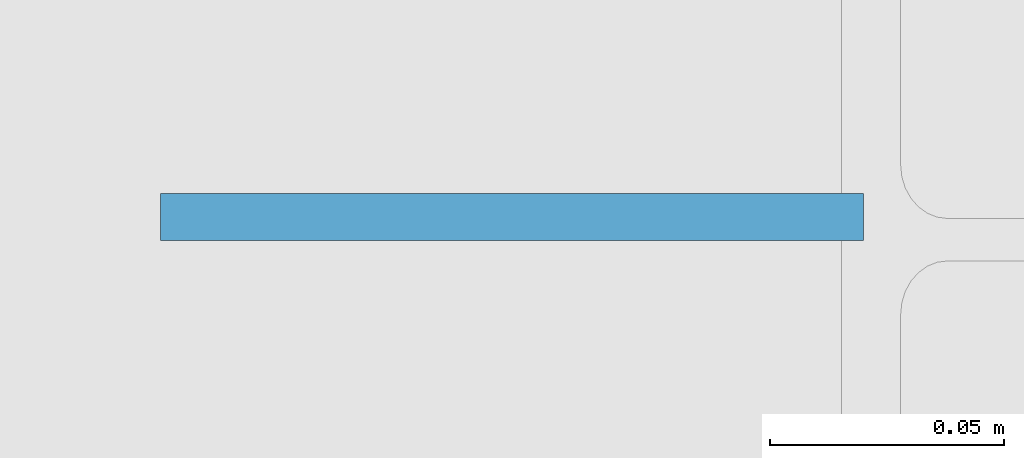
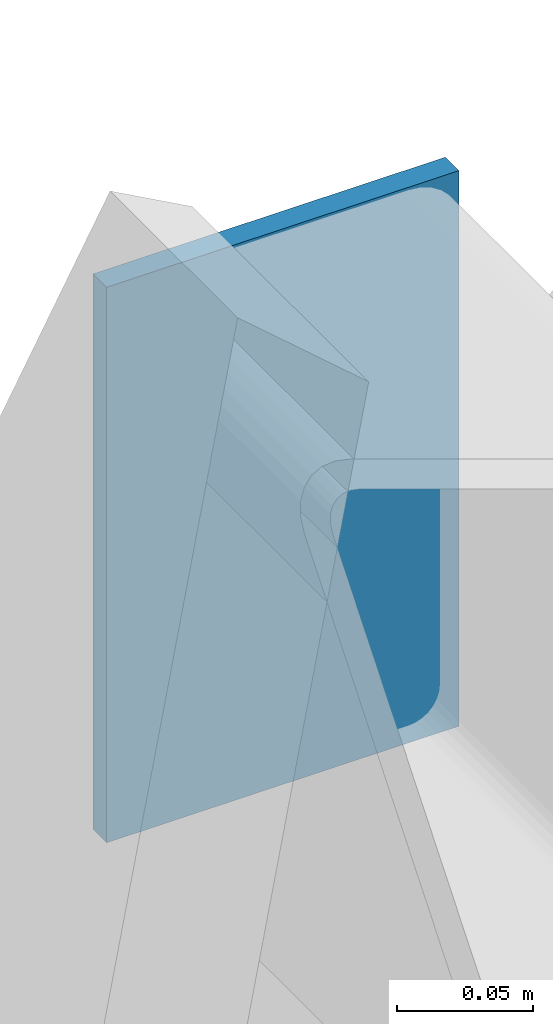
# One storey, part 56 of 62: 1 discrete accessory.
"""IFC4 building model written with IfcOpenShell, lengths in metres."""

from ifc_helpers import new_model, si_unit, direction, frame, origin, origin_2d, place, context, subcontext, project, spatial, rectangle, extrude, material, type_object, element, save


model = new_model("IFC4")

# Units and contexts
model_context = context("Model", 3, precision=1e-05, world=origin(), true_north=direction((0.0, 1.0)))
body_context = subcontext(model_context, "Body", "Model", "MODEL_VIEW")
ifc_project = project(units=[si_unit("LENGTHUNIT", "METRE"), si_unit("AREAUNIT", "SQUARE_METRE"), si_unit("VOLUMEUNIT", "CUBIC_METRE"), si_unit("PLANEANGLEUNIT", "RADIAN"), si_unit("MASSUNIT", "GRAM", prefix="KILO")], contexts=[model_context])

# Site, building, storey
site_placement = place(None, origin())
site = spatial("IfcSite", under=ifc_project, at=site_placement, CompositionType="ELEMENT")
building_placement = place(site_placement, origin())
building = spatial("IfcBuilding", under=site, at=building_placement, Name="Hortulan Conservatory and Botanical Research Centre", CompositionType="ELEMENT")
storey_placement = place(building_placement, frame((0.0, 0.0, 15.0)))
storey = spatial("IfcBuildingStorey", under=building, at=storey_placement, Name="L03", CompositionType="ELEMENT", Elevation=15.0)

# Discrete accessory
ifc_material = material(Name="Steel Grade 300 plate (AS/NZS 3678, 280 MPa minimum yield)", Category="steel")
discrete_accessory_type = type_object("IfcDiscreteAccessoryType", Name="End Plate 250x10", PredefinedType="BRACKET", material=ifc_material)
discrete_accessory_placement = place(storey_placement, frame((91.9794921875, 72.0048828125, 3.197021484375), z_axis=(0.0, 0.0, 1.0), x_axis=(1.0, 0.0, 0.0)))
element("IfcDiscreteAccessory", 1, at=discrete_accessory_placement, inside=storey, type_object=discrete_accessory_type, Name="Vault purlin 1 end plate N", PredefinedType="BRACKET", context=body_context, shape_type="SweptSolid", body=[
    extrude(rectangle(XDim=0.14990234375, YDim=0.010009765625, at=origin_2d()), origin(), (0.0, 0.0, 1.0), 0.25),
])

save(model, "model.ifc")
